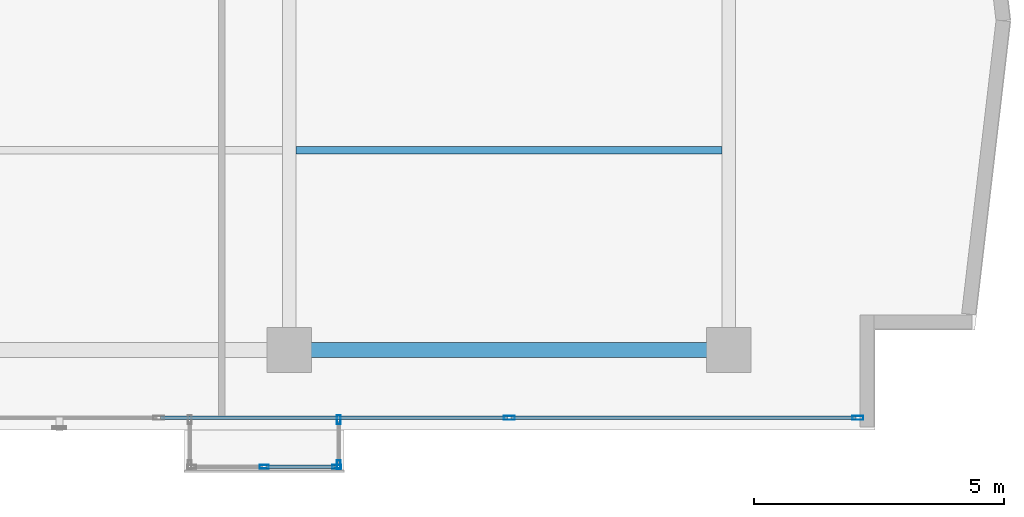
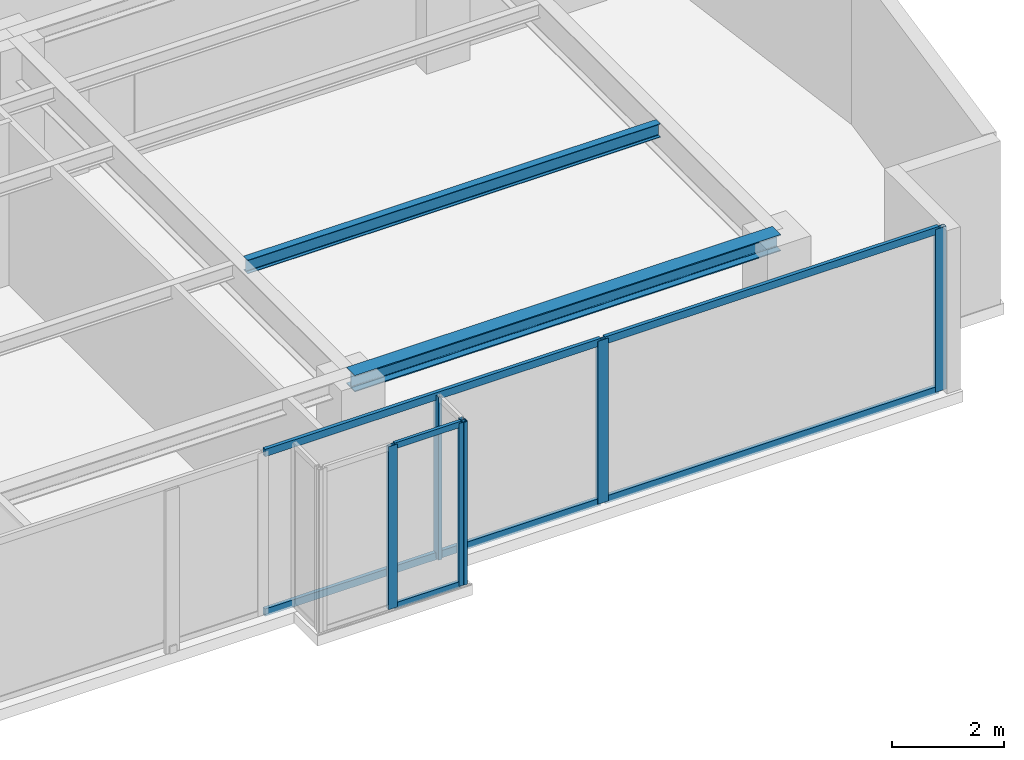
# One storey, part 11 of 23: 12 members, 2 beams, 3 elements without a shape of their own.
"""IFC4 building model written with IfcOpenShell, lengths in metres."""

from ifc_helpers import new_model, si_unit, direction, frame, origin, origin_with_axes, origin_2d, place, context, subcontext, project, spatial, hollow_rectangle, i_section, extrude, source, transform, mapped, material, layer, layer_set, material_profile, profile_set, type_object, element, aggregate, save


model = new_model("IFC4")

# Units and contexts
model_context = context("Model", 3, precision=1e-05, world=origin(), true_north=direction((0.0, 1.0)))
body_context = subcontext(model_context, "Body", "Model", "MODEL_VIEW")
ifc_project = project(units=[si_unit("LENGTHUNIT", "METRE"), si_unit("AREAUNIT", "SQUARE_METRE"), si_unit("VOLUMEUNIT", "CUBIC_METRE"), si_unit("PLANEANGLEUNIT", "RADIAN"), si_unit("MASSUNIT", "GRAM", prefix="KILO")], contexts=[model_context])

# Site, building, storey
site_placement = place(None, origin())
site = spatial("IfcSite", under=ifc_project, at=site_placement, CompositionType="ELEMENT")
building_placement = place(site_placement, origin())
building = spatial("IfcBuilding", under=site, at=building_placement, Name="Kolvaren Waterfront Exchange", CompositionType="ELEMENT")
storey_placement = place(building_placement, frame((0.0, 0.0, 270.39990234375)))
storey = spatial("IfcBuildingStorey", under=building, at=storey_placement, Name="L69", CompositionType="ELEMENT", Elevation=270.39990234375)

# Beams
ifc_material_1 = material(Name="Steel S355", Category="steel")
ifc_material_profile_1 = material_profile(ifc_material_1, i_section(OverallWidth=0.300048828125, OverallDepth=0.360107421875, WebThickness=0.012451171875, FlangeThickness=0.0224609375, FilletRadius=0.027099609375, at=origin_2d()), Name="HEB360")
ifc_profile_set_1 = profile_set([ifc_material_profile_1], Name="Steel S355")
beam_type_1 = type_object("IfcBeamType", Name="STR-BM-HEB360", PredefinedType="SPANDREL", material=ifc_profile_set_1)
beam_1_placement = place(storey_placement, frame((36.800048828125, 5.199951171875, 3.380126953125), z_axis=(1.0, 0.0, 0.0), x_axis=(0.0, 1.0, 0.0)))
element("IfcBeam", 1, at=beam_1_placement, inside=storey, type_object=beam_type_1, Name="L69 east-arm spandrel S3", PredefinedType="SPANDREL", context=body_context, shape_type="SweptSolid", body=[
    extrude(i_section(OverallWidth=0.300048828125, OverallDepth=0.360107421875, WebThickness=0.012451171875, FlangeThickness=0.0224609375, FilletRadius=0.027099609375, at=origin_2d()), origin(), (0.0, 0.0, 1.0), 8.800048828125),
])
ifc_material_profile_2 = material_profile(ifc_material_1, i_section(OverallWidth=0.14990234375, OverallDepth=0.300048828125, WebThickness=0.007080078125, FlangeThickness=0.0107421875, FilletRadius=0.014892578125, at=origin_2d()), Name="IPE300")
ifc_profile_set_2 = profile_set([ifc_material_profile_2], Name="Steel S355")
beam_type_2 = type_object("IfcBeamType", Name="STR-BM-IPE300", PredefinedType="JOIST", material=ifc_profile_set_2)
beam_2_placement = place(storey_placement, frame((36.935546875, 9.199951171875, 3.41015625), z_axis=(1.0, 0.0, 0.0), x_axis=(0.0, 1.0, 0.0)))
element("IfcBeam", 2, at=beam_2_placement, inside=storey, type_object=beam_type_2, Name="L69 east-arm composite joist 3B", PredefinedType="JOIST", context=body_context, shape_type="SweptSolid", body=[
    extrude(i_section(OverallWidth=0.14990234375, OverallDepth=0.300048828125, WebThickness=0.007080078125, FlangeThickness=0.0107421875, FilletRadius=0.014892578125, at=origin_2d()), origin(), (0.0, 0.0, 1.0), 8.529052734375),
])

# Curtain wall, members
ifc_material_2 = material(Name="Anodised bronze aluminium 6063-T6", Category="aluminium")
ifc_layer_1 = layer(ifc_material_2, 0.219970703125, Name="Anodised bronze aluminium 6063-T6")
ifc_layer_set_1 = layer_set([ifc_layer_1], Name="Anodised bronze aluminium 6063-T6")
curtain_wall_type_1 = type_object("IfcCurtainWallType", Name="ARC-CW-SYS3", PredefinedType="USERDEFINED", material=ifc_layer_set_1)
curtain_wall_1_placement = place(storey_placement, origin())
curtain_wall_1 = element("IfcCurtainWall", 3, at=curtain_wall_1_placement, inside=storey, type_object=curtain_wall_type_1, Name="L69 stick curtain wall CW3 (CW-L69-BOX)", ObjectType="STICK CURTAIN WALL", PredefinedType="USERDEFINED")
ifc_material_profile_3 = material_profile(ifc_material_2, hollow_rectangle(XDim=0.06494140625, YDim=0.1298828125, WallThickness=0.00390625, at=origin_2d()), Name="ALU-TRN-130x65x4")
ifc_profile_set_3 = profile_set([ifc_material_profile_3], Name="Anodised bronze aluminium 6063-T6")
member_type_1 = type_object("IfcMemberType", Name="ARC-CWT-130", PredefinedType="USERDEFINED", material=ifc_profile_set_3)
shared_shape_1 = source(origin_with_axes(), body_context, "Body", "SweptSolid", [
    extrude(hollow_rectangle(XDim=0.06494140625, YDim=0.1298828125, WallThickness=0.00390625, at=origin_2d()), origin(), (0.0, 0.0, 1.0), 1.377685546875),
])
member_1_placement = place(storey_placement, frame((36.33740234375, 2.860107421875, 0.03271484375), z_axis=(1.0, 0.0, 0.0), x_axis=(0.0, 1.0, 0.0)))
member_1 = element("IfcMember", 4, at=member_1_placement, type_object=member_type_1, Name="CW3 transom 2.1", ObjectType="TRANSOM", PredefinedType="USERDEFINED", context=body_context, shape_type="MappedRepresentation", body=[
    mapped(shared_shape_1, transform((0.0, 0.0, 0.0), x_axis=(1.0, 0.0, 0.0), y_axis=(0.0, 1.0, 0.0), z_axis=(0.0, 0.0, 1.0), scale=1.0)),
])
member_2_placement = place(storey_placement, frame((36.33740234375, 2.860107421875, 3.527587890625), z_axis=(1.0, 0.0, 0.0), x_axis=(0.0, 1.0, 0.0)))
member_2 = element("IfcMember", 5, at=member_2_placement, type_object=member_type_1, Name="CW3 transom 2.2", ObjectType="TRANSOM", PredefinedType="USERDEFINED", context=body_context, shape_type="MappedRepresentation", body=[
    mapped(shared_shape_1, transform((0.0, 0.0, 0.0), x_axis=(1.0, 0.0, 0.0), y_axis=(0.0, 1.0, 0.0), z_axis=(0.0, 0.0, 1.0), scale=1.0)),
])
ifc_material_profile_4 = material_profile(ifc_material_2, hollow_rectangle(XDim=0.074951171875, YDim=0.179931640625, WallThickness=0.00439453125, at=origin_2d()), Name="ALU-MUL-180x75x4.5")
ifc_profile_set_4 = profile_set([ifc_material_profile_4], Name="Anodised bronze aluminium 6063-T6")
member_type_2 = type_object("IfcMemberType", Name="ARC-CWM-180", PredefinedType="MULLION", material=ifc_profile_set_4)
shared_shape_2 = source(origin_with_axes(), body_context, "Body", "SweptSolid", [
    extrude(hollow_rectangle(XDim=0.074951171875, YDim=0.179931640625, WallThickness=0.00439453125, at=origin_2d()), origin(), (0.0, 0.0, 1.0), 3.56005859375),
])
member_3_placement = place(storey_placement, frame((36.300048828125, 2.860107421875, 0.0), z_axis=(0.0, 0.0, 1.0), x_axis=(0.0, 1.0, 0.0)))
member_3 = element("IfcMember", 6, at=member_3_placement, type_object=member_type_2, Name="CW3 mullion 2", PredefinedType="MULLION", context=body_context, shape_type="MappedRepresentation", body=[
    mapped(shared_shape_2, transform((0.0, 0.0, 0.0), x_axis=(1.0, 0.0, 0.0), y_axis=(0.0, 1.0, 0.0), z_axis=(0.0, 0.0, 1.0), scale=1.0)),
])
member_4_placement = place(storey_placement, frame((37.75244140625, 2.860107421875, 0.0), z_axis=(0.0, 0.0, 1.0), x_axis=(0.0, 1.0, 0.0)))
member_4 = element("IfcMember", 7, at=member_4_placement, type_object=member_type_2, Name="CW3 mullion 3", PredefinedType="MULLION", context=body_context, shape_type="MappedRepresentation", body=[
    mapped(shared_shape_2, transform((0.0, 0.0, 0.0), x_axis=(1.0, 0.0, 0.0), y_axis=(0.0, 1.0, 0.0), z_axis=(0.0, 0.0, 1.0), scale=1.0)),
])
aggregate(curtain_wall_1, [member_3, member_4, member_1, member_2])

curtain_wall_2_placement = place(storey_placement, origin())
curtain_wall_2 = element("IfcCurtainWall", 8, at=curtain_wall_2_placement, inside=storey, type_object=curtain_wall_type_1, Name="L69 stick curtain wall CW3 (CW-L69-BOX-E)", ObjectType="STICK CURTAIN WALL", PredefinedType="USERDEFINED")
member_5_placement = place(storey_placement, frame((37.7900390625, 2.8974609375, 0.0), z_axis=(0.0, 0.0, 1.0), x_axis=(-1.0, 0.0, 0.0)))
member_5 = element("IfcMember", 9, at=member_5_placement, type_object=member_type_2, Name="CW3 mullion 1", PredefinedType="MULLION", context=body_context, shape_type="MappedRepresentation", body=[
    mapped(shared_shape_2, transform((0.0, 0.0, 0.0), x_axis=(1.0, 0.0, 0.0), y_axis=(0.0, 1.0, 0.0), z_axis=(0.0, 0.0, 1.0), scale=1.0)),
])
member_6_placement = place(storey_placement, frame((37.7900390625, 3.802490234375, 0.0), z_axis=(0.0, 0.0, 1.0), x_axis=(-1.0, 0.0, 0.0)))
member_6 = element("IfcMember", 10, at=member_6_placement, type_object=member_type_2, Name="CW3 mullion 2", PredefinedType="MULLION", context=body_context, shape_type="MappedRepresentation", body=[
    mapped(shared_shape_2, transform((0.0, 0.0, 0.0), x_axis=(1.0, 0.0, 0.0), y_axis=(0.0, 1.0, 0.0), z_axis=(0.0, 0.0, 1.0), scale=1.0)),
])
aggregate(curtain_wall_2, [member_5, member_6])

ifc_layer_2 = layer(ifc_material_2, 0.219970703125, Name="Anodised bronze aluminium 6063-T6")
ifc_layer_set_2 = layer_set([ifc_layer_2], Name="Anodised bronze aluminium 6063-T6")
curtain_wall_type_2 = type_object("IfcCurtainWallType", Name="ARC-CW-SYS1", PredefinedType="USERDEFINED", material=ifc_layer_set_2)
curtain_wall_3_placement = place(storey_placement, origin())
curtain_wall_3 = element("IfcCurtainWall", 11, at=curtain_wall_3_placement, inside=storey, type_object=curtain_wall_type_2, Name="L69 stick curtain wall CW1 (CW-L69-S)", ObjectType="STICK CURTAIN WALL", PredefinedType="USERDEFINED")
ifc_material_3 = material(Name="Anodised aluminium 6063-T6", Category="aluminium")
ifc_material_profile_5 = material_profile(ifc_material_3, hollow_rectangle(XDim=0.080078125, YDim=0.219970703125, WallThickness=0.0048828125, at=origin_2d()), Name="ALU-MUL-220x80x5")
ifc_profile_set_5 = profile_set([ifc_material_profile_5], Name="Anodised aluminium 6063-T6")
member_type_3 = type_object("IfcMemberType", Name="ARC-CWM-220", PredefinedType="MULLION", material=ifc_profile_set_5)
shared_shape_3 = source(origin_with_axes(), body_context, "Body", "SweptSolid", [
    extrude(hollow_rectangle(XDim=0.080078125, YDim=0.219970703125, WallThickness=0.0048828125, at=origin_2d()), origin(), (0.0, 0.0, 1.0), 3.56005859375),
])
member_7_placement = place(storey_placement, frame((41.205322265625, 3.840087890625, 0.0), z_axis=(0.0, 0.0, 1.0), x_axis=(0.0, 1.0, 0.0)))
member_7 = element("IfcMember", 12, at=member_7_placement, type_object=member_type_3, Name="CW1 mullion 6", PredefinedType="MULLION", context=body_context, shape_type="MappedRepresentation", body=[
    mapped(shared_shape_3, transform((0.0, 0.0, 0.0), x_axis=(1.0, 0.0, 0.0), y_axis=(0.0, 1.0, 0.0), z_axis=(0.0, 0.0, 1.0), scale=1.0)),
])
member_8_placement = place(storey_placement, frame((48.186279296875, 3.840087890625, 0.0), z_axis=(0.0, 0.0, 1.0), x_axis=(0.0, 1.0, 0.0)))
member_8 = element("IfcMember", 13, at=member_8_placement, type_object=member_type_3, Name="CW1 mullion 7", PredefinedType="MULLION", context=body_context, shape_type="MappedRepresentation", body=[
    mapped(shared_shape_3, transform((0.0, 0.0, 0.0), x_axis=(1.0, 0.0, 0.0), y_axis=(0.0, 1.0, 0.0), z_axis=(0.0, 0.0, 1.0), scale=1.0)),
])
ifc_material_profile_6 = material_profile(ifc_material_3, hollow_rectangle(XDim=0.074951171875, YDim=0.159912109375, WallThickness=0.00439453125, at=origin_2d()), Name="ALU-TRN-160x75x4.5")
ifc_profile_set_6 = profile_set([ifc_material_profile_6], Name="Anodised aluminium 6063-T6")
member_type_4 = type_object("IfcMemberType", Name="ARC-CWT-160", PredefinedType="USERDEFINED", material=ifc_profile_set_6)
shared_shape_4 = source(origin_with_axes(), body_context, "Body", "SweptSolid", [
    extrude(hollow_rectangle(XDim=0.074951171875, YDim=0.159912109375, WallThickness=0.00439453125, at=origin_2d()), origin(), (0.0, 0.0, 1.0), 6.941162109375),
])
member_9_placement = place(storey_placement, frame((34.22412109375, 3.840087890625, 0.03759765625), z_axis=(1.0, 0.0, 0.0), x_axis=(0.0, 1.0, 0.0)))
member_9 = element("IfcMember", 14, at=member_9_placement, type_object=member_type_4, Name="CW1 transom 5.1", ObjectType="TRANSOM", PredefinedType="USERDEFINED", context=body_context, shape_type="MappedRepresentation", body=[
    mapped(shared_shape_4, transform((0.0, 0.0, 0.0), x_axis=(1.0, 0.0, 0.0), y_axis=(0.0, 1.0, 0.0), z_axis=(0.0, 0.0, 1.0), scale=1.0)),
])
member_10_placement = place(storey_placement, frame((34.22412109375, 3.840087890625, 3.522705078125), z_axis=(1.0, 0.0, 0.0), x_axis=(0.0, 1.0, 0.0)))
member_10 = element("IfcMember", 15, at=member_10_placement, type_object=member_type_4, Name="CW1 transom 5.2", ObjectType="TRANSOM", PredefinedType="USERDEFINED", context=body_context, shape_type="MappedRepresentation", body=[
    mapped(shared_shape_4, transform((0.0, 0.0, 0.0), x_axis=(1.0, 0.0, 0.0), y_axis=(0.0, 1.0, 0.0), z_axis=(0.0, 0.0, 1.0), scale=1.0)),
])
shared_shape_5 = source(origin_with_axes(), body_context, "Body", "SweptSolid", [
    extrude(hollow_rectangle(XDim=0.074951171875, YDim=0.159912109375, WallThickness=0.00439453125, at=origin_2d()), origin(), (0.0, 0.0, 1.0), 6.90087890625),
])
member_11_placement = place(storey_placement, frame((41.245361328125, 3.840087890625, 0.03759765625), z_axis=(1.0, 0.0, 0.0), x_axis=(0.0, 1.0, 0.0)))
member_11 = element("IfcMember", 16, at=member_11_placement, type_object=member_type_4, Name="CW1 transom 6.1", ObjectType="TRANSOM", PredefinedType="USERDEFINED", context=body_context, shape_type="MappedRepresentation", body=[
    mapped(shared_shape_5, transform((0.0, 0.0, 0.0), x_axis=(1.0, 0.0, 0.0), y_axis=(0.0, 1.0, 0.0), z_axis=(0.0, 0.0, 1.0), scale=1.0)),
])
member_12_placement = place(storey_placement, frame((41.245361328125, 3.840087890625, 3.522705078125), z_axis=(1.0, 0.0, 0.0), x_axis=(0.0, 1.0, 0.0)))
member_12 = element("IfcMember", 17, at=member_12_placement, type_object=member_type_4, Name="CW1 transom 6.2", ObjectType="TRANSOM", PredefinedType="USERDEFINED", context=body_context, shape_type="MappedRepresentation", body=[
    mapped(shared_shape_5, transform((0.0, 0.0, 0.0), x_axis=(1.0, 0.0, 0.0), y_axis=(0.0, 1.0, 0.0), z_axis=(0.0, 0.0, 1.0), scale=1.0)),
])
aggregate(curtain_wall_3, [member_7, member_8, member_9, member_10, member_11, member_12])

save(model, "model.ifc")
